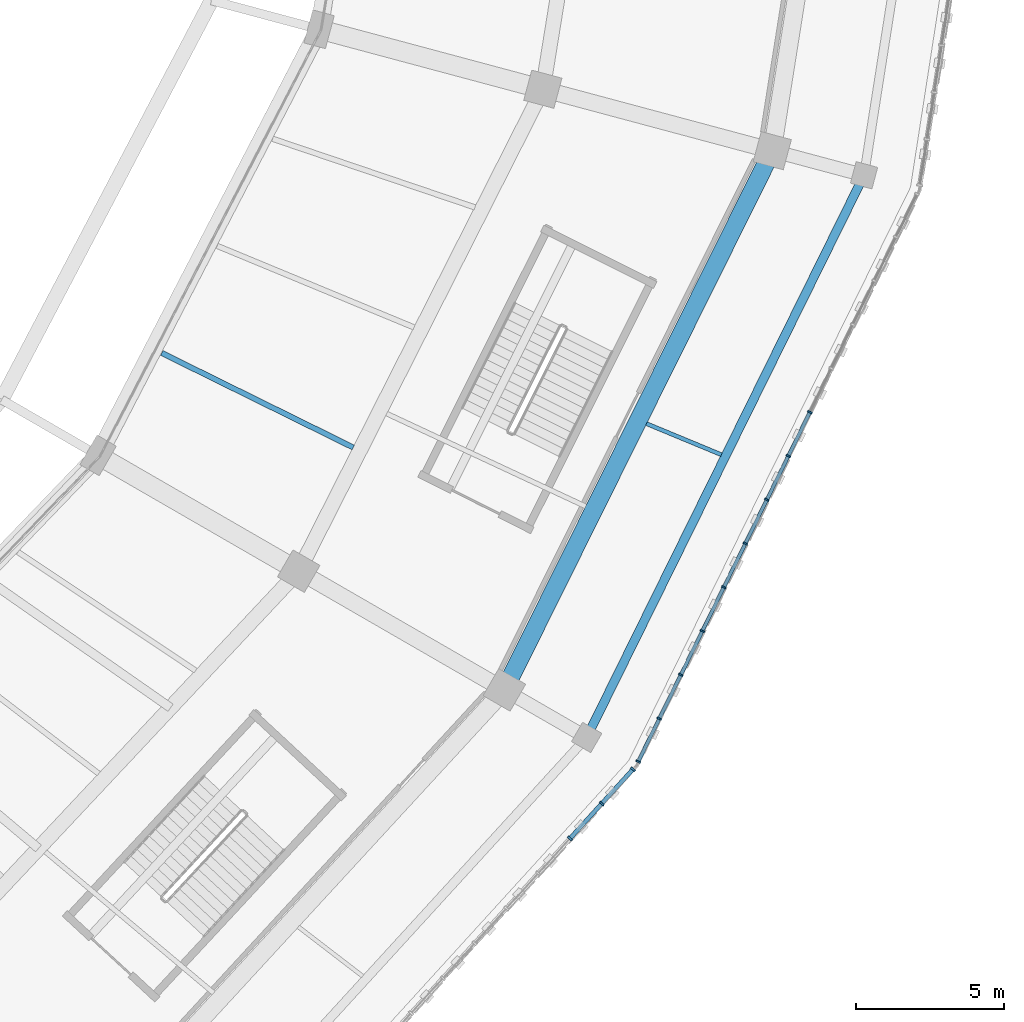
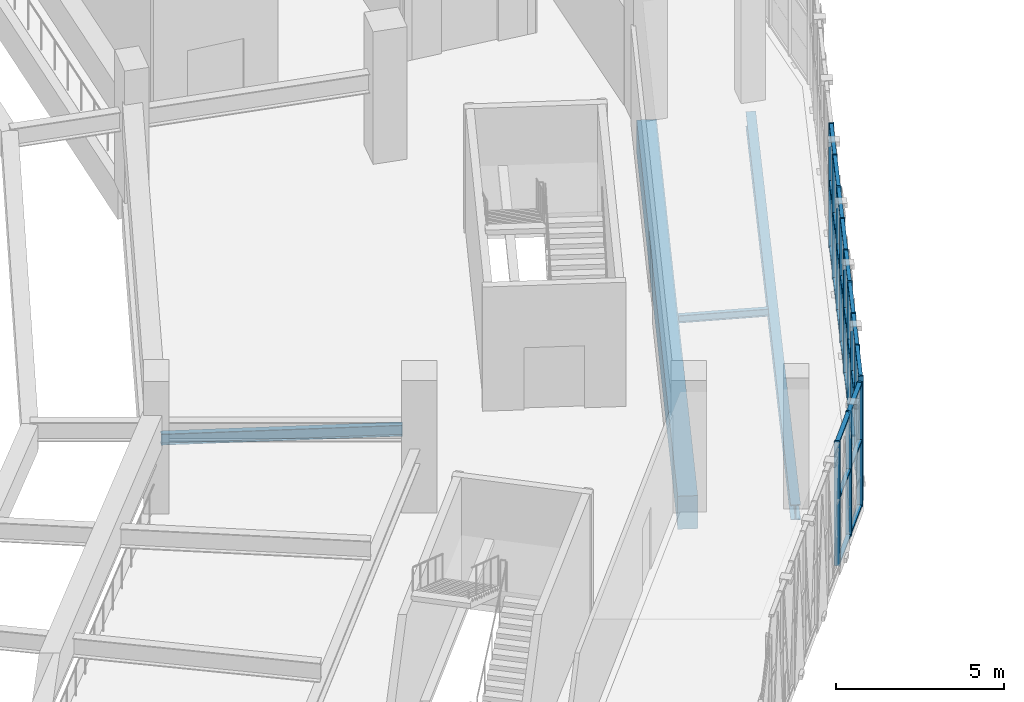
# One storey, part 39 of 179: 42 members, 4 beams, 2 elements without a shape of their own.
"""IFC4 building model written with IfcOpenShell, lengths in metres."""

import ifcopenshell
import ifcopenshell.guid

model = None  # the IFC model being written
_history = None  # IfcOwnerHistory: only IFC2X3 demands one
_inside = {}  # id of a spatial element -> (the spatial element, [elements in it])
_under = {}  # id of a project, library or spatial element -> (it, [spatial elements below it])
_declared = {}  # id of a project -> (the project, [libraries it declares])
_typed = {}  # id of a type object -> (the type object, [elements of that type])
_made_of = {}  # id of a material, layer set ... -> (it, [elements and type objects made of it])


def new_model(schema):
    """Start an empty IFC model of exactly this schema.

    Asked for "IFC4X3", IfcOpenShell would pick the latest addendum, in which some entities
    have other attributes; the version numbers below select the first issue.
    IFC2X3 requires an IfcOwnerHistory on every rooted entity: one is made here for all.
    """
    global model, _history
    if schema == "IFC4X3":
        model = ifcopenshell.file(schema_version=(4, 3, 0, 0))
    else:
        model = ifcopenshell.file(schema=schema)
    _inside.clear()
    _under.clear()
    _declared.clear()
    _typed.clear()
    _made_of.clear()
    _history = None
    if model.schema == "IFC2X3":
        org = make("IfcOrganization", Name="unknown")
        user = make(
            "IfcPersonAndOrganization",
            ThePerson=make("IfcPerson", FamilyName="unknown"),
            TheOrganization=org,
        )
        app = make(
            "IfcApplication",
            ApplicationDeveloper=org,
            Version="unknown",
            ApplicationFullName="unknown",
            ApplicationIdentifier="unknown",
        )
        _history = make(
            "IfcOwnerHistory",
            OwningUser=user,
            OwningApplication=app,
            ChangeAction="ADDED",
            CreationDate=0,
        )
    return model


def make(cls, **values):
    """One entity of the class cls with the attributes given. An attribute that is None is left unset."""
    return model.create_entity(
        cls, **{name: value for name, value in values.items() if value is not None}
    )


def rooted(cls, **values):
    """An entity with a GlobalId (a new one), such as an element, a storey or a relation."""
    return make(cls, GlobalId=ifcopenshell.guid.new(), OwnerHistory=_history, **values)


def si_unit(unit_type, name, prefix=None):
    """IfcSIUnit, for example si_unit("LENGTHUNIT", "METRE", prefix="MILLI")."""
    return make("IfcSIUnit", UnitType=unit_type, Prefix=prefix, Name=name)


def assignment(units):
    """IfcUnitAssignment: the units of a project."""
    return None if units is None else make("IfcUnitAssignment", Units=units)


def point(xyz):
    """IfcCartesianPoint."""
    return None if xyz is None else make("IfcCartesianPoint", Coordinates=xyz)


def direction(xyz):
    """IfcDirection."""
    return None if xyz is None else make("IfcDirection", DirectionRatios=xyz)


def frame(location, z_axis=None, x_axis=None):
    """IfcAxis2Placement3D, a coordinate frame: its origin and axes. An axis left out is left unset."""
    return make(
        "IfcAxis2Placement3D",
        Location=point(location),
        Axis=direction(z_axis),
        RefDirection=direction(x_axis),
    )


def frame_2d(location, x_axis=None):
    """IfcAxis2Placement2D, a coordinate frame in the plane: its origin and x axis."""
    return make(
        "IfcAxis2Placement2D", Location=point(location), RefDirection=direction(x_axis)
    )


def origin():
    """The frame at (0, 0, 0) with its axes left unset."""
    return frame((0.0, 0.0, 0.0))


def origin_2d():
    """The frame at (0, 0) in the plane with its x axis left unset."""
    return frame_2d((0.0, 0.0))


def place(relative_to, where):
    """IfcLocalPlacement: puts the frame where relative to a parent placement (None: the world)."""
    return make(
        "IfcLocalPlacement", PlacementRelTo=relative_to, RelativePlacement=where
    )


def context(
    kind, dimensions, precision=None, world=None, true_north=None, identifier=None
):
    """IfcGeometricRepresentationContext, for example the 3D "Model" context."""
    return make(
        "IfcGeometricRepresentationContext",
        ContextIdentifier=identifier,
        ContextType=kind,
        CoordinateSpaceDimension=dimensions,
        Precision=precision,
        WorldCoordinateSystem=world,
        TrueNorth=true_north,
    )


def subcontext(parent, identifier, kind, view, scale=None):
    """IfcGeometricRepresentationSubContext, for example "Body" below "Model"."""
    return make(
        "IfcGeometricRepresentationSubContext",
        ContextIdentifier=identifier,
        ContextType=kind,
        ParentContext=parent,
        TargetScale=scale,
        TargetView=view,
    )


def project(units=None, contexts=None):
    """IfcProject with its units and contexts."""
    return rooted(
        "IfcProject",
        Name="project",
        RepresentationContexts=contexts,
        UnitsInContext=assignment(units),
    )


def spatial(cls, under=None, at=None, **own):
    """A site, building, storey or space (cls), placed at a placement, below another one or the project."""
    s = rooted(cls, ObjectPlacement=at, **own)
    if under is not None:
        _under.setdefault(under.id(), (under, []))[1].append(s)
    return s


def profile(cls, at=None, kind="AREA", **sizes):
    """A parametric profile (cls). Its sizes go by their IFC names, for example OverallWidth=200.0."""
    return make(cls, ProfileType=kind, Position=at, **sizes)


def rectangle(**sizes):
    """IfcRectangleProfileDef."""
    return profile("IfcRectangleProfileDef", **sizes)


def i_section(**sizes):
    """IfcIShapeProfileDef."""
    return profile("IfcIShapeProfileDef", **sizes)


def extrude(swept, where, along, depth):
    """IfcExtrudedAreaSolid: the profile swept, set in the frame where, extruded along a direction by depth."""
    return make(
        "IfcExtrudedAreaSolid",
        SweptArea=swept,
        Position=where,
        ExtrudedDirection=direction(along),
        Depth=depth,
    )


def shape(context_of_items, identifier, shape_type, items):
    """IfcShapeRepresentation: the items that make up one representation, for example the "Body"."""
    return make(
        "IfcShapeRepresentation",
        ContextOfItems=context_of_items,
        RepresentationIdentifier=identifier,
        RepresentationType=shape_type,
        Items=items,
    )


def material(Name=None, Category=None):
    """IfcMaterial."""
    return make("IfcMaterial", Name=Name, Category=Category)


def material_profile(
    of_material, cross_section, Name=None, Category=None, Priority=None
):
    """IfcMaterialProfile: a cross section and its material."""
    return make(
        "IfcMaterialProfile",
        Name=Name,
        Material=of_material,
        Profile=cross_section,
        Priority=Priority,
        Category=Category,
    )


def profile_set(profiles, Name=None, composite=None):
    """IfcMaterialProfileSet."""
    return make(
        "IfcMaterialProfileSet",
        Name=Name,
        MaterialProfiles=profiles,
        CompositeProfile=composite,
    )


def made_of(thing, what):
    """Note that an element or type object is made of a material, layer set ...; save() writes the relation."""
    if what is not None:
        _made_of.setdefault(what.id(), (what, []))[1].append(thing)
    return thing


def type_object(cls, material=None, **own):
    """A type object (cls), such as IfcWallType, which elements share."""
    return made_of(rooted(cls, **own), material)


def element(
    cls,
    number,
    at=None,
    inside=None,
    cuts=None,
    type_object=None,
    material=None,
    context=None,
    identifier="Body",
    shape_type=None,
    held_by="IfcProductDefinitionShape",
    body=None,
    shapes=None,
    **own,
):
    """One element of the class cls, such as IfcWall. Its Tag is "e" and its number.

    at: its placement. inside: the storey or other place that contains it. cuts: it is an
    opening in that element (IfcRelVoidsElement). A single representation is given by context,
    identifier, shape_type and body (its items); several are given by shapes. held_by: the class
    of the entity that holds the representations. save() writes the other relations.
    """
    e = rooted(cls, Tag="e%d" % number, ObjectPlacement=at, **own)
    if body is not None:
        shapes = [shape(context, identifier, shape_type, body)]
    if shapes is not None:
        e.Representation = make(held_by, Representations=shapes)
    if inside is not None:
        _inside.setdefault(inside.id(), (inside, []))[1].append(e)
    if cuts is not None:
        rooted(
            "IfcRelVoidsElement", RelatingBuildingElement=cuts, RelatedOpeningElement=e
        )
    if type_object is not None:
        _typed.setdefault(type_object.id(), (type_object, []))[1].append(e)
    return made_of(e, material)


def aggregate(whole, parts):
    """IfcRelAggregates: a whole, such as a stair, and the parts it consists of."""
    return rooted("IfcRelAggregates", RelatingObject=whole, RelatedObjects=parts)


def save(model, path):
    """Write the relations noted so far, then the file.

    IfcRelAggregates (storeys below a building ...), IfcRelContainedInSpatialStructure (elements
    in a storey), IfcRelDefinesByType, IfcRelAssociatesMaterial and IfcRelDeclares: one each for
    every whole, place, type object, material and project.
    """
    for whole, parts in _under.values():
        aggregate(whole, parts)
    for where, things in _inside.values():
        rooted(
            "IfcRelContainedInSpatialStructure",
            RelatedElements=things,
            RelatingStructure=where,
        )
    for kind, things in _typed.values():
        rooted("IfcRelDefinesByType", RelatedObjects=things, RelatingType=kind)
    for what, things in _made_of.values():
        rooted("IfcRelAssociatesMaterial", RelatedObjects=things, RelatingMaterial=what)
    for by, libraries in _declared.values():
        rooted("IfcRelDeclares", RelatingContext=by, RelatedDefinitions=libraries)
    model.write(path)


model = new_model("IFC4")

# Units and contexts
model_context = context("Model", 3, precision=1e-05, world=origin(), true_north=direction((0.0, 1.0)))
body_context = subcontext(model_context, "Body", "Model", "MODEL_VIEW")
ifc_project = project(units=[si_unit("LENGTHUNIT", "METRE"), si_unit("AREAUNIT", "SQUARE_METRE"), si_unit("VOLUMEUNIT", "CUBIC_METRE"), si_unit("PLANEANGLEUNIT", "RADIAN"), si_unit("MASSUNIT", "GRAM", prefix="KILO")], contexts=[model_context])

# Site, building, storey
site_placement = place(None, origin())
site = spatial("IfcSite", under=ifc_project, at=site_placement, CompositionType="ELEMENT")
building_placement = place(site_placement, origin())
building = spatial("IfcBuilding", under=site, at=building_placement, Name="Zevraka Park Crest Stadium", CompositionType="ELEMENT")
storey_placement = place(building_placement, frame((0.0, 0.0, 10.199951171875)))
storey = spatial("IfcBuildingStorey", under=building, at=storey_placement, Name="L02", CompositionType="ELEMENT", Elevation=10.199951171875)

# Curtain wall, members
ifc_material_1 = material(Name="Anodised architectural aluminium and laminated safety glass", Category="aluminium")
curtain_wall_type_1 = type_object("IfcCurtainWallType", Name="CW07", PredefinedType="NOTDEFINED", material=ifc_material_1)
curtain_wall_1_placement = place(storey_placement, origin())
curtain_wall_1 = element("IfcCurtainWall", 1, at=curtain_wall_1_placement, inside=storey, type_object=curtain_wall_type_1, Name="Unitised Ring Curtain Wall CW07 L02-22", PredefinedType="NOTDEFINED")
ifc_material_2 = material(Name="Anodised architectural aluminium", Category="aluminium")
ifc_material_profile_1 = material_profile(ifc_material_2, rectangle(XDim=0.159912109375, YDim=0.06005859375, at=origin_2d()), Name="ALU MULLION 160x60")
ifc_profile_set_1 = profile_set([ifc_material_profile_1], Name="Anodised architectural aluminium")
member_type_1 = type_object("IfcMemberType", Name="CM01", PredefinedType="MULLION", material=ifc_profile_set_1)
member_1_placement = place(storey_placement, frame((194.708251953125, 51.93798828125, 0.0), z_axis=(0.0, 0.0, 1.0), x_axis=(-0.897496768201, 0.441021032455, 0.0)))
member_1 = element("IfcMember", 2, at=member_1_placement, type_object=member_type_1, Name="CW07 mullion 1", PredefinedType="MULLION", context=body_context, shape_type="SweptSolid", body=[
    extrude(rectangle(XDim=0.159912109375, YDim=0.06005859375, at=origin_2d()), origin(), (0.0, 0.0, 1.0), 4.5),
])
member_2_placement = place(storey_placement, frame((195.41943359375, 53.38525390625, 0.0), z_axis=(0.0, 0.0, 1.0), x_axis=(-0.897496768201, 0.441021032455, 0.0)))
member_2 = element("IfcMember", 3, at=member_2_placement, type_object=member_type_1, Name="CW07 mullion 2", PredefinedType="MULLION", context=body_context, shape_type="SweptSolid", body=[
    extrude(rectangle(XDim=0.159912109375, YDim=0.06005859375, at=origin_2d()), origin(), (0.0, 0.0, 1.0), 4.5),
])
member_3_placement = place(storey_placement, frame((196.143798828125, 54.859375, 0.0), z_axis=(0.0, 0.0, 1.0), x_axis=(-0.897496768201, 0.441021032455, 0.0)))
member_3 = element("IfcMember", 4, at=member_3_placement, type_object=member_type_1, Name="CW07 mullion 3", PredefinedType="MULLION", context=body_context, shape_type="SweptSolid", body=[
    extrude(rectangle(XDim=0.159912109375, YDim=0.06005859375, at=origin_2d()), origin(), (0.0, 0.0, 1.0), 4.5),
])
member_4_placement = place(storey_placement, frame((196.8681640625, 56.33349609375, 0.0), z_axis=(0.0, 0.0, 1.0), x_axis=(-0.897496768201, 0.441021032455, 0.0)))
member_4 = element("IfcMember", 5, at=member_4_placement, type_object=member_type_1, Name="CW07 mullion 4", PredefinedType="MULLION", context=body_context, shape_type="SweptSolid", body=[
    extrude(rectangle(XDim=0.159912109375, YDim=0.06005859375, at=origin_2d()), origin(), (0.0, 0.0, 1.0), 4.5),
])
member_5_placement = place(storey_placement, frame((197.592529296875, 57.8076171875, 0.0), z_axis=(0.0, 0.0, 1.0), x_axis=(-0.897496768201, 0.441021032455, 0.0)))
member_5 = element("IfcMember", 6, at=member_5_placement, type_object=member_type_1, Name="CW07 mullion 5", PredefinedType="MULLION", context=body_context, shape_type="SweptSolid", body=[
    extrude(rectangle(XDim=0.159912109375, YDim=0.06005859375, at=origin_2d()), origin(), (0.0, 0.0, 1.0), 4.5),
])
member_6_placement = place(storey_placement, frame((198.31689453125, 59.28173828125, 0.0), z_axis=(0.0, 0.0, 1.0), x_axis=(-0.897496768201, 0.441021032455, 0.0)))
member_6 = element("IfcMember", 7, at=member_6_placement, type_object=member_type_1, Name="CW07 mullion 6", PredefinedType="MULLION", context=body_context, shape_type="SweptSolid", body=[
    extrude(rectangle(XDim=0.159912109375, YDim=0.06005859375, at=origin_2d()), origin(), (0.0, 0.0, 1.0), 4.5),
])
member_7_placement = place(storey_placement, frame((199.041259765625, 60.755859375, 0.0), z_axis=(0.0, 0.0, 1.0), x_axis=(-0.897496768201, 0.441021032455, 0.0)))
member_7 = element("IfcMember", 8, at=member_7_placement, type_object=member_type_1, Name="CW07 mullion 7", PredefinedType="MULLION", context=body_context, shape_type="SweptSolid", body=[
    extrude(rectangle(XDim=0.159912109375, YDim=0.06005859375, at=origin_2d()), origin(), (0.0, 0.0, 1.0), 4.5),
])
member_8_placement = place(storey_placement, frame((199.765625, 62.22998046875, 0.0), z_axis=(0.0, 0.0, 1.0), x_axis=(-0.897496768201, 0.441021032455, 0.0)))
member_8 = element("IfcMember", 9, at=member_8_placement, type_object=member_type_1, Name="CW07 mullion 8", PredefinedType="MULLION", context=body_context, shape_type="SweptSolid", body=[
    extrude(rectangle(XDim=0.159912109375, YDim=0.06005859375, at=origin_2d()), origin(), (0.0, 0.0, 1.0), 4.5),
])
member_9_placement = place(storey_placement, frame((200.489990234375, 63.704345703125, 0.0), z_axis=(0.0, 0.0, 1.0), x_axis=(-0.897496768201, 0.441021032455, 0.0)))
member_9 = element("IfcMember", 10, at=member_9_placement, type_object=member_type_1, Name="CW07 mullion 9", PredefinedType="MULLION", context=body_context, shape_type="SweptSolid", body=[
    extrude(rectangle(XDim=0.159912109375, YDim=0.06005859375, at=origin_2d()), origin(), (0.0, 0.0, 1.0), 4.5),
])

ifc_material_3 = material(Name="Anodised architectural aluminium and laminated safety glass", Category="aluminium")
curtain_wall_type_2 = type_object("IfcCurtainWallType", Name="CW08", PredefinedType="NOTDEFINED", material=ifc_material_3)
curtain_wall_2_placement = place(storey_placement, origin())
curtain_wall_2 = element("IfcCurtainWall", 11, at=curtain_wall_2_placement, inside=storey, type_object=curtain_wall_type_2, Name="Unitised Ring Curtain Wall CW08 L02-21", PredefinedType="NOTDEFINED")
ifc_material_4 = material(Name="Anodised architectural aluminium", Category="aluminium")
ifc_material_profile_2 = material_profile(ifc_material_4, rectangle(XDim=0.179931640625, YDim=0.06494140625, at=origin_2d()), Name="ALU MULLION 180x65")
ifc_profile_set_2 = profile_set([ifc_material_profile_2], Name="Anodised architectural aluminium")
member_type_2 = type_object("IfcMemberType", Name="CM02", PredefinedType="MULLION", material=ifc_profile_set_2)
member_10_placement = place(storey_placement, frame((192.410888671875, 49.347900390625, 0.0), z_axis=(0.0, 0.0, 1.0), x_axis=(-0.739496877097, 0.673159987494, 0.0)))
member_10 = element("IfcMember", 12, at=member_10_placement, type_object=member_type_2, Name="CW08 mullion 13", PredefinedType="MULLION", context=body_context, shape_type="SweptSolid", body=[
    extrude(rectangle(XDim=0.179931640625, YDim=0.06494140625, at=origin_2d()), origin(), (0.0, 0.0, 1.0), 4.5),
])
member_11_placement = place(storey_placement, frame((193.4814453125, 50.52392578125, 0.0), z_axis=(0.0, 0.0, 1.0), x_axis=(-0.739496877097, 0.673159987494, 0.0)))
member_11 = element("IfcMember", 13, at=member_11_placement, type_object=member_type_2, Name="CW08 mullion 14", PredefinedType="MULLION", context=body_context, shape_type="SweptSolid", body=[
    extrude(rectangle(XDim=0.179931640625, YDim=0.06494140625, at=origin_2d()), origin(), (0.0, 0.0, 1.0), 4.5),
])
member_12_placement = place(storey_placement, frame((194.530029296875, 51.676025390625, 0.0), z_axis=(0.0, 0.0, 1.0), x_axis=(-0.739496877097, 0.673159987494, 0.0)))
member_12 = element("IfcMember", 14, at=member_12_placement, type_object=member_type_2, Name="CW08 mullion 15", PredefinedType="MULLION", context=body_context, shape_type="SweptSolid", body=[
    extrude(rectangle(XDim=0.179931640625, YDim=0.06494140625, at=origin_2d()), origin(), (0.0, 0.0, 1.0), 4.5),
])

# Member
ifc_material_5 = material(Name="Anodised architectural aluminium", Category="aluminium")
ifc_material_profile_3 = material_profile(ifc_material_5, rectangle(XDim=0.1201171875, YDim=0.06005859375, at=origin_2d()), Name="ALU TRANSOM 120x60")
ifc_profile_set_3 = profile_set([ifc_material_profile_3], Name="Anodised architectural aluminium")
member_type_3 = type_object("IfcMemberType", Name="CT01", PredefinedType="USERDEFINED", material=ifc_profile_set_3)
member_13_placement = place(storey_placement, frame((194.721435546875, 51.96484375, 0.030029296875), z_axis=(0.441101676323, 0.897457136105, 0.0), x_axis=(-0.897457136105, 0.441101676323, 0.0)))
member_13 = element("IfcMember", 15, at=member_13_placement, type_object=member_type_3, Name="CW07 transom 1.1", ObjectType="TRANSOM", PredefinedType="USERDEFINED", context=body_context, shape_type="SweptSolid", body=[
    extrude(rectangle(XDim=0.1201171875, YDim=0.06005859375, at=origin_2d()), origin(), (0.0, 0.0, 1.0), 1.552490234375),
])

member_14_placement = place(storey_placement, frame((194.721435546875, 51.96484375, 2.400146484375), z_axis=(0.441101676323, 0.897457136105, 0.0), x_axis=(-0.897457136105, 0.441101676323, 0.0)))
member_14 = element("IfcMember", 16, at=member_14_placement, type_object=member_type_3, Name="CW07 transom 1.2", ObjectType="TRANSOM", PredefinedType="USERDEFINED", context=body_context, shape_type="SweptSolid", body=[
    extrude(rectangle(XDim=0.1201171875, YDim=0.06005859375, at=origin_2d()), origin(), (0.0, 0.0, 1.0), 1.552490234375),
])

member_15_placement = place(storey_placement, frame((194.721435546875, 51.96484375, 4.469970703125), z_axis=(0.441101676323, 0.897457136105, 0.0), x_axis=(-0.897457136105, 0.441101676323, 0.0)))
member_15 = element("IfcMember", 17, at=member_15_placement, type_object=member_type_3, Name="CW07 transom 1.3", ObjectType="TRANSOM", PredefinedType="USERDEFINED", context=body_context, shape_type="SweptSolid", body=[
    extrude(rectangle(XDim=0.1201171875, YDim=0.06005859375, at=origin_2d()), origin(), (0.0, 0.0, 1.0), 1.552490234375),
])

member_16_placement = place(storey_placement, frame((195.4326171875, 53.412109375, 0.030029296875), z_axis=(0.441093576416, 0.897461117177, 0.0), x_axis=(-0.897461117177, 0.441093576416, 0.0)))
member_16 = element("IfcMember", 18, at=member_16_placement, type_object=member_type_3, Name="CW07 transom 2.1", ObjectType="TRANSOM", PredefinedType="USERDEFINED", context=body_context, shape_type="SweptSolid", body=[
    extrude(rectangle(XDim=0.1201171875, YDim=0.06005859375, at=origin_2d()), origin(), (0.0, 0.0, 1.0), 1.58251953125),
])

member_17_placement = place(storey_placement, frame((195.4326171875, 53.412109375, 2.400146484375), z_axis=(0.441093576416, 0.897461117177, 0.0), x_axis=(-0.897461117177, 0.441093576416, 0.0)))
member_17 = element("IfcMember", 19, at=member_17_placement, type_object=member_type_3, Name="CW07 transom 2.2", ObjectType="TRANSOM", PredefinedType="USERDEFINED", context=body_context, shape_type="SweptSolid", body=[
    extrude(rectangle(XDim=0.1201171875, YDim=0.06005859375, at=origin_2d()), origin(), (0.0, 0.0, 1.0), 1.58251953125),
])

member_18_placement = place(storey_placement, frame((195.4326171875, 53.412109375, 4.469970703125), z_axis=(0.441093576416, 0.897461117177, 0.0), x_axis=(-0.897461117177, 0.441093576416, 0.0)))
member_18 = element("IfcMember", 20, at=member_18_placement, type_object=member_type_3, Name="CW07 transom 2.3", ObjectType="TRANSOM", PredefinedType="USERDEFINED", context=body_context, shape_type="SweptSolid", body=[
    extrude(rectangle(XDim=0.1201171875, YDim=0.06005859375, at=origin_2d()), origin(), (0.0, 0.0, 1.0), 1.58251953125),
])

member_19_placement = place(storey_placement, frame((196.156982421875, 54.88623046875, 0.030029296875), z_axis=(0.441032508924, 0.897491128687, 0.0), x_axis=(-0.897491128687, 0.441032508924, 0.0)))
member_19 = element("IfcMember", 21, at=member_19_placement, type_object=member_type_3, Name="CW07 transom 3.1", ObjectType="TRANSOM", PredefinedType="USERDEFINED", context=body_context, shape_type="SweptSolid", body=[
    extrude(rectangle(XDim=0.1201171875, YDim=0.06005859375, at=origin_2d()), origin(), (0.0, 0.0, 1.0), 1.582763671875),
])

member_20_placement = place(storey_placement, frame((196.156982421875, 54.88623046875, 2.400146484375), z_axis=(0.441032508924, 0.897491128687, 0.0), x_axis=(-0.897491128687, 0.441032508924, 0.0)))
member_20 = element("IfcMember", 22, at=member_20_placement, type_object=member_type_3, Name="CW07 transom 3.2", ObjectType="TRANSOM", PredefinedType="USERDEFINED", context=body_context, shape_type="SweptSolid", body=[
    extrude(rectangle(XDim=0.1201171875, YDim=0.06005859375, at=origin_2d()), origin(), (0.0, 0.0, 1.0), 1.582763671875),
])

member_21_placement = place(storey_placement, frame((196.156982421875, 54.88623046875, 4.469970703125), z_axis=(0.441032508924, 0.897491128687, 0.0), x_axis=(-0.897491128687, 0.441032508924, 0.0)))
member_21 = element("IfcMember", 23, at=member_21_placement, type_object=member_type_3, Name="CW07 transom 3.3", ObjectType="TRANSOM", PredefinedType="USERDEFINED", context=body_context, shape_type="SweptSolid", body=[
    extrude(rectangle(XDim=0.1201171875, YDim=0.06005859375, at=origin_2d()), origin(), (0.0, 0.0, 1.0), 1.582763671875),
])

member_22_placement = place(storey_placement, frame((196.88134765625, 56.3603515625, 0.030029296875), z_axis=(0.441032508924, 0.897491128687, 0.0), x_axis=(-0.897491128687, 0.441032508924, 0.0)))
member_22 = element("IfcMember", 24, at=member_22_placement, type_object=member_type_3, Name="CW07 transom 4.1", ObjectType="TRANSOM", PredefinedType="USERDEFINED", context=body_context, shape_type="SweptSolid", body=[
    extrude(rectangle(XDim=0.1201171875, YDim=0.06005859375, at=origin_2d()), origin(), (0.0, 0.0, 1.0), 1.582763671875),
])

member_23_placement = place(storey_placement, frame((196.88134765625, 56.3603515625, 2.400146484375), z_axis=(0.441032508924, 0.897491128687, 0.0), x_axis=(-0.897491128687, 0.441032508924, 0.0)))
member_23 = element("IfcMember", 25, at=member_23_placement, type_object=member_type_3, Name="CW07 transom 4.2", ObjectType="TRANSOM", PredefinedType="USERDEFINED", context=body_context, shape_type="SweptSolid", body=[
    extrude(rectangle(XDim=0.1201171875, YDim=0.06005859375, at=origin_2d()), origin(), (0.0, 0.0, 1.0), 1.582763671875),
])

member_24_placement = place(storey_placement, frame((196.88134765625, 56.3603515625, 4.469970703125), z_axis=(0.441032508924, 0.897491128687, 0.0), x_axis=(-0.897491128687, 0.441032508924, 0.0)))
member_24 = element("IfcMember", 26, at=member_24_placement, type_object=member_type_3, Name="CW07 transom 4.3", ObjectType="TRANSOM", PredefinedType="USERDEFINED", context=body_context, shape_type="SweptSolid", body=[
    extrude(rectangle(XDim=0.1201171875, YDim=0.06005859375, at=origin_2d()), origin(), (0.0, 0.0, 1.0), 1.582763671875),
])

member_25_placement = place(storey_placement, frame((197.605712890625, 57.83447265625, 0.030029296875), z_axis=(0.441032508924, 0.897491128687, 0.0), x_axis=(-0.897491128687, 0.441032508924, 0.0)))
member_25 = element("IfcMember", 27, at=member_25_placement, type_object=member_type_3, Name="CW07 transom 5.1", ObjectType="TRANSOM", PredefinedType="USERDEFINED", context=body_context, shape_type="SweptSolid", body=[
    extrude(rectangle(XDim=0.1201171875, YDim=0.06005859375, at=origin_2d()), origin(), (0.0, 0.0, 1.0), 1.582763671875),
])

member_26_placement = place(storey_placement, frame((197.605712890625, 57.83447265625, 2.400146484375), z_axis=(0.441032508924, 0.897491128687, 0.0), x_axis=(-0.897491128687, 0.441032508924, 0.0)))
member_26 = element("IfcMember", 28, at=member_26_placement, type_object=member_type_3, Name="CW07 transom 5.2", ObjectType="TRANSOM", PredefinedType="USERDEFINED", context=body_context, shape_type="SweptSolid", body=[
    extrude(rectangle(XDim=0.1201171875, YDim=0.06005859375, at=origin_2d()), origin(), (0.0, 0.0, 1.0), 1.582763671875),
])

member_27_placement = place(storey_placement, frame((197.605712890625, 57.83447265625, 4.469970703125), z_axis=(0.441032508924, 0.897491128687, 0.0), x_axis=(-0.897491128687, 0.441032508924, 0.0)))
member_27 = element("IfcMember", 29, at=member_27_placement, type_object=member_type_3, Name="CW07 transom 5.3", ObjectType="TRANSOM", PredefinedType="USERDEFINED", context=body_context, shape_type="SweptSolid", body=[
    extrude(rectangle(XDim=0.1201171875, YDim=0.06005859375, at=origin_2d()), origin(), (0.0, 0.0, 1.0), 1.582763671875),
])

member_28_placement = place(storey_placement, frame((198.330078125, 59.30859375, 0.030029296875), z_axis=(0.441032508924, 0.897491128687, 0.0), x_axis=(-0.897491128687, 0.441032508924, 0.0)))
member_28 = element("IfcMember", 30, at=member_28_placement, type_object=member_type_3, Name="CW07 transom 6.1", ObjectType="TRANSOM", PredefinedType="USERDEFINED", context=body_context, shape_type="SweptSolid", body=[
    extrude(rectangle(XDim=0.1201171875, YDim=0.06005859375, at=origin_2d()), origin(), (0.0, 0.0, 1.0), 1.582763671875),
])

member_29_placement = place(storey_placement, frame((198.330078125, 59.30859375, 2.400146484375), z_axis=(0.441032508924, 0.897491128687, 0.0), x_axis=(-0.897491128687, 0.441032508924, 0.0)))
member_29 = element("IfcMember", 31, at=member_29_placement, type_object=member_type_3, Name="CW07 transom 6.2", ObjectType="TRANSOM", PredefinedType="USERDEFINED", context=body_context, shape_type="SweptSolid", body=[
    extrude(rectangle(XDim=0.1201171875, YDim=0.06005859375, at=origin_2d()), origin(), (0.0, 0.0, 1.0), 1.582763671875),
])

member_30_placement = place(storey_placement, frame((198.330078125, 59.30859375, 4.469970703125), z_axis=(0.441032508924, 0.897491128687, 0.0), x_axis=(-0.897491128687, 0.441032508924, 0.0)))
member_30 = element("IfcMember", 32, at=member_30_placement, type_object=member_type_3, Name="CW07 transom 6.3", ObjectType="TRANSOM", PredefinedType="USERDEFINED", context=body_context, shape_type="SweptSolid", body=[
    extrude(rectangle(XDim=0.1201171875, YDim=0.06005859375, at=origin_2d()), origin(), (0.0, 0.0, 1.0), 1.582763671875),
])

member_31_placement = place(storey_placement, frame((199.054443359375, 60.782958984375, 0.030029296875), z_axis=(0.441093576416, 0.897461117177, 0.0), x_axis=(-0.897461117177, 0.441093576416, 0.0)))
member_31 = element("IfcMember", 33, at=member_31_placement, type_object=member_type_3, Name="CW07 transom 7.1", ObjectType="TRANSOM", PredefinedType="USERDEFINED", context=body_context, shape_type="SweptSolid", body=[
    extrude(rectangle(XDim=0.1201171875, YDim=0.06005859375, at=origin_2d()), origin(), (0.0, 0.0, 1.0), 1.58251953125),
])

member_32_placement = place(storey_placement, frame((199.054443359375, 60.782958984375, 2.400146484375), z_axis=(0.441093576416, 0.897461117177, 0.0), x_axis=(-0.897461117177, 0.441093576416, 0.0)))
member_32 = element("IfcMember", 34, at=member_32_placement, type_object=member_type_3, Name="CW07 transom 7.2", ObjectType="TRANSOM", PredefinedType="USERDEFINED", context=body_context, shape_type="SweptSolid", body=[
    extrude(rectangle(XDim=0.1201171875, YDim=0.06005859375, at=origin_2d()), origin(), (0.0, 0.0, 1.0), 1.58251953125),
])

member_33_placement = place(storey_placement, frame((199.054443359375, 60.782958984375, 4.469970703125), z_axis=(0.441093576416, 0.897461117177, 0.0), x_axis=(-0.897461117177, 0.441093576416, 0.0)))
member_33 = element("IfcMember", 35, at=member_33_placement, type_object=member_type_3, Name="CW07 transom 7.3", ObjectType="TRANSOM", PredefinedType="USERDEFINED", context=body_context, shape_type="SweptSolid", body=[
    extrude(rectangle(XDim=0.1201171875, YDim=0.06005859375, at=origin_2d()), origin(), (0.0, 0.0, 1.0), 1.58251953125),
])

member_34_placement = place(storey_placement, frame((199.77880859375, 62.257080078125, 0.030029296875), z_axis=(0.441093576416, 0.897461117177, 0.0), x_axis=(-0.897461117177, 0.441093576416, 0.0)))
member_34 = element("IfcMember", 36, at=member_34_placement, type_object=member_type_3, Name="CW07 transom 8.1", ObjectType="TRANSOM", PredefinedType="USERDEFINED", context=body_context, shape_type="SweptSolid", body=[
    extrude(rectangle(XDim=0.1201171875, YDim=0.06005859375, at=origin_2d()), origin(), (0.0, 0.0, 1.0), 1.58251953125),
])

member_35_placement = place(storey_placement, frame((199.77880859375, 62.257080078125, 2.400146484375), z_axis=(0.441093576416, 0.897461117177, 0.0), x_axis=(-0.897461117177, 0.441093576416, 0.0)))
member_35 = element("IfcMember", 37, at=member_35_placement, type_object=member_type_3, Name="CW07 transom 8.2", ObjectType="TRANSOM", PredefinedType="USERDEFINED", context=body_context, shape_type="SweptSolid", body=[
    extrude(rectangle(XDim=0.1201171875, YDim=0.06005859375, at=origin_2d()), origin(), (0.0, 0.0, 1.0), 1.58251953125),
])

member_36_placement = place(storey_placement, frame((199.77880859375, 62.257080078125, 4.469970703125), z_axis=(0.441093576416, 0.897461117177, 0.0), x_axis=(-0.897461117177, 0.441093576416, 0.0)))
member_36 = element("IfcMember", 38, at=member_36_placement, type_object=member_type_3, Name="CW07 transom 8.3", ObjectType="TRANSOM", PredefinedType="USERDEFINED", context=body_context, shape_type="SweptSolid", body=[
    extrude(rectangle(XDim=0.1201171875, YDim=0.06005859375, at=origin_2d()), origin(), (0.0, 0.0, 1.0), 1.58251953125),
])

aggregate(curtain_wall_1, [member_1, member_2, member_3, member_4, member_5, member_6, member_7, member_8, member_9, member_13, member_14, member_15, member_16, member_17, member_18, member_19, member_20, member_21, member_22, member_23, member_24, member_25, member_26, member_27, member_28, member_29, member_30, member_31, member_32, member_33, member_34, member_35, member_36])

ifc_material_6 = material(Name="Anodised architectural aluminium", Category="aluminium")
ifc_material_profile_4 = material_profile(ifc_material_6, rectangle(XDim=0.139892578125, YDim=0.06494140625, at=origin_2d()), Name="ALU TRANSOM 140x65")
ifc_profile_set_4 = profile_set([ifc_material_profile_4], Name="Anodised architectural aluminium")
member_type_4 = type_object("IfcMemberType", Name="CT02", PredefinedType="USERDEFINED", material=ifc_profile_set_4)
member_37_placement = place(storey_placement, frame((192.4326171875, 49.371826171875, 0.032470703125), z_axis=(0.673118749814, 0.739534413431, 0.0), x_axis=(-0.739534413431, 0.673118749814, 0.0)))
member_37 = element("IfcMember", 39, at=member_37_placement, type_object=member_type_4, Name="CW08 transom 13.1", ObjectType="TRANSOM", PredefinedType="USERDEFINED", context=body_context, shape_type="SweptSolid", body=[
    extrude(rectangle(XDim=0.139892578125, YDim=0.06494140625, at=origin_2d()), origin(), (0.0, 0.0, 1.0), 1.525634765625),
])

member_38_placement = place(storey_placement, frame((192.4326171875, 49.371826171875, 2.400146484375), z_axis=(0.673118749814, 0.739534413431, 0.0), x_axis=(-0.739534413431, 0.673118749814, 0.0)))
member_38 = element("IfcMember", 40, at=member_38_placement, type_object=member_type_4, Name="CW08 transom 13.2", ObjectType="TRANSOM", PredefinedType="USERDEFINED", context=body_context, shape_type="SweptSolid", body=[
    extrude(rectangle(XDim=0.139892578125, YDim=0.06494140625, at=origin_2d()), origin(), (0.0, 0.0, 1.0), 1.525634765625),
])

member_39_placement = place(storey_placement, frame((192.4326171875, 49.371826171875, 4.467529296875), z_axis=(0.673118749814, 0.739534413431, 0.0), x_axis=(-0.739534413431, 0.673118749814, 0.0)))
member_39 = element("IfcMember", 41, at=member_39_placement, type_object=member_type_4, Name="CW08 transom 13.3", ObjectType="TRANSOM", PredefinedType="USERDEFINED", context=body_context, shape_type="SweptSolid", body=[
    extrude(rectangle(XDim=0.139892578125, YDim=0.06494140625, at=origin_2d()), origin(), (0.0, 0.0, 1.0), 1.525634765625),
])

member_40_placement = place(storey_placement, frame((193.50341796875, 50.5478515625, 0.032470703125), z_axis=(0.673128504906, 0.739525534301, 0.0), x_axis=(-0.739525534301, 0.673128504906, 0.0)))
member_40 = element("IfcMember", 42, at=member_40_placement, type_object=member_type_4, Name="CW08 transom 14.1", ObjectType="TRANSOM", PredefinedType="USERDEFINED", context=body_context, shape_type="SweptSolid", body=[
    extrude(rectangle(XDim=0.139892578125, YDim=0.06494140625, at=origin_2d()), origin(), (0.0, 0.0, 1.0), 1.492919921875),
])

member_41_placement = place(storey_placement, frame((193.50341796875, 50.5478515625, 2.400146484375), z_axis=(0.673128504906, 0.739525534301, 0.0), x_axis=(-0.739525534301, 0.673128504906, 0.0)))
member_41 = element("IfcMember", 43, at=member_41_placement, type_object=member_type_4, Name="CW08 transom 14.2", ObjectType="TRANSOM", PredefinedType="USERDEFINED", context=body_context, shape_type="SweptSolid", body=[
    extrude(rectangle(XDim=0.139892578125, YDim=0.06494140625, at=origin_2d()), origin(), (0.0, 0.0, 1.0), 1.492919921875),
])

member_42_placement = place(storey_placement, frame((193.50341796875, 50.5478515625, 4.467529296875), z_axis=(0.673128504906, 0.739525534301, 0.0), x_axis=(-0.739525534301, 0.673128504906, 0.0)))
member_42 = element("IfcMember", 44, at=member_42_placement, type_object=member_type_4, Name="CW08 transom 14.3", ObjectType="TRANSOM", PredefinedType="USERDEFINED", context=body_context, shape_type="SweptSolid", body=[
    extrude(rectangle(XDim=0.139892578125, YDim=0.06494140625, at=origin_2d()), origin(), (0.0, 0.0, 1.0), 1.492919921875),
])

aggregate(curtain_wall_2, [member_10, member_11, member_12, member_37, member_38, member_39, member_40, member_41, member_42])

# Beams
ifc_material_7 = material(Name="Concrete C40/50", Category="concrete")
ifc_material_profile_5 = material_profile(ifc_material_7, rectangle(XDim=0.60009765625, YDim=1.199951171875, at=origin_2d()), Name="RC 1200x600")
ifc_profile_set_5 = profile_set([ifc_material_profile_5], Name="Concrete C40/50")
beam_type_1 = type_object("IfcBeamType", Name="RB01", PredefinedType="BEAM", material=ifc_profile_set_5)
beam_1_placement = place(storey_placement, frame((190.37109375, 54.68994140625, -0.60986328125), z_axis=(0.444850507814, 0.895604837916, 0.0), x_axis=(-0.895604837916, 0.444850507814, 0.0)))
element("IfcBeam", 45, at=beam_1_placement, inside=storey, type_object=beam_type_1, Name="Ring Beam RB01 L02-D-22", PredefinedType="BEAM", context=body_context, shape_type="SweptSolid", body=[
    extrude(rectangle(XDim=0.60009765625, YDim=1.199951171875, at=origin_2d()), origin(), (0.0, 0.0, 1.0), 19.5185546875),
])
ifc_material_8 = material(Name="Steel S355", Category="steel")
ifc_material_profile_6 = material_profile(ifc_material_8, i_section(OverallWidth=0.300048828125, OverallDepth=0.550048828125, WebThickness=0.014892578125, FlangeThickness=0.029052734375, at=origin_2d()), Name="HEB 550")
ifc_profile_set_6 = profile_set([ifc_material_profile_6], Name="Steel S355")
beam_type_2 = type_object("IfcBeamType", Name="RB04", PredefinedType="BEAM", material=ifc_profile_set_6)
beam_2_placement = place(storey_placement, frame((193.1279296875, 53.06396484375, -0.5849609375), z_axis=(0.442446810597, 0.896794747862, 0.0), x_axis=(-0.896794747862, 0.442446810597, 0.0)))
element("IfcBeam", 46, at=beam_2_placement, inside=storey, type_object=beam_type_2, Name="Ring Beam RB04 L02-E-22", PredefinedType="BEAM", context=body_context, shape_type="SweptSolid", body=[
    extrude(i_section(OverallWidth=0.300048828125, OverallDepth=0.550048828125, WebThickness=0.014892578125, FlangeThickness=0.029052734375, at=origin_2d()), origin(), (0.0, 0.0, 1.0), 20.41162109375),
])
ifc_material_9 = material(Name="Steel S355", Category="steel")
ifc_material_profile_7 = material_profile(ifc_material_9, i_section(OverallWidth=0.135009765625, OverallDepth=0.27001953125, WebThickness=0.006591796875, FlangeThickness=0.01025390625, at=origin_2d()), Name="IPE 270")
ifc_profile_set_7 = profile_set([ifc_material_profile_7], Name="Steel S355")
beam_type_3 = type_object("IfcBeamType", Name="SJ07", PredefinedType="JOIST", material=ifc_profile_set_7)
beam_3_placement = place(storey_placement, frame((194.985107421875, 63.318115234375, -0.4228515625), z_axis=(0.923841523408, -0.382775181571, 0.0), x_axis=(0.382775181571, 0.923841523408, 0.0)))
element("IfcBeam", 47, at=beam_3_placement, inside=storey, type_object=beam_type_3, Name="Floor Joist SJ07 L02-DE-22-1", PredefinedType="JOIST", context=body_context, shape_type="SweptSolid", body=[
    extrude(i_section(OverallWidth=0.135009765625, OverallDepth=0.27001953125, WebThickness=0.006591796875, FlangeThickness=0.01025390625, at=origin_2d()), origin(), (0.0, 0.0, 1.0), 2.733154296875),
])
ifc_material_10 = material(Name="Steel S355", Category="steel")
ifc_material_profile_8 = material_profile(ifc_material_10, i_section(OverallWidth=0.179931640625, OverallDepth=0.39990234375, WebThickness=0.008544921875, FlangeThickness=0.013427734375, at=origin_2d()), Name="IPE 400")
ifc_profile_set_8 = profile_set([ifc_material_profile_8], Name="Steel S355")
beam_type_4 = type_object("IfcBeamType", Name="SJ09", PredefinedType="JOIST", material=ifc_profile_set_8)
beam_4_placement = place(storey_placement, frame((178.662109375, 65.697998046875, -0.488037109375), z_axis=(0.89675774001, -0.442521813849, 0.0), x_axis=(0.442521813849, 0.89675774001, 0.0)))
element("IfcBeam", 48, at=beam_4_placement, inside=storey, type_object=beam_type_4, Name="Floor Joist SJ09 L02-BC-22-1", PredefinedType="JOIST", context=body_context, shape_type="SweptSolid", body=[
    extrude(i_section(OverallWidth=0.179931640625, OverallDepth=0.39990234375, WebThickness=0.008544921875, FlangeThickness=0.013427734375, at=origin_2d()), origin(), (0.0, 0.0, 1.0), 7.1904296875),
])

save(model, "model.ifc")
